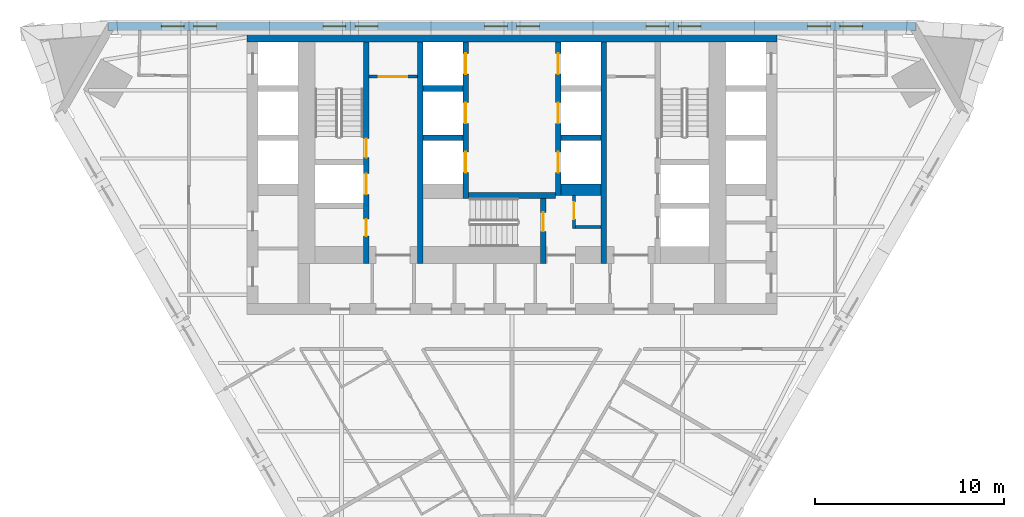
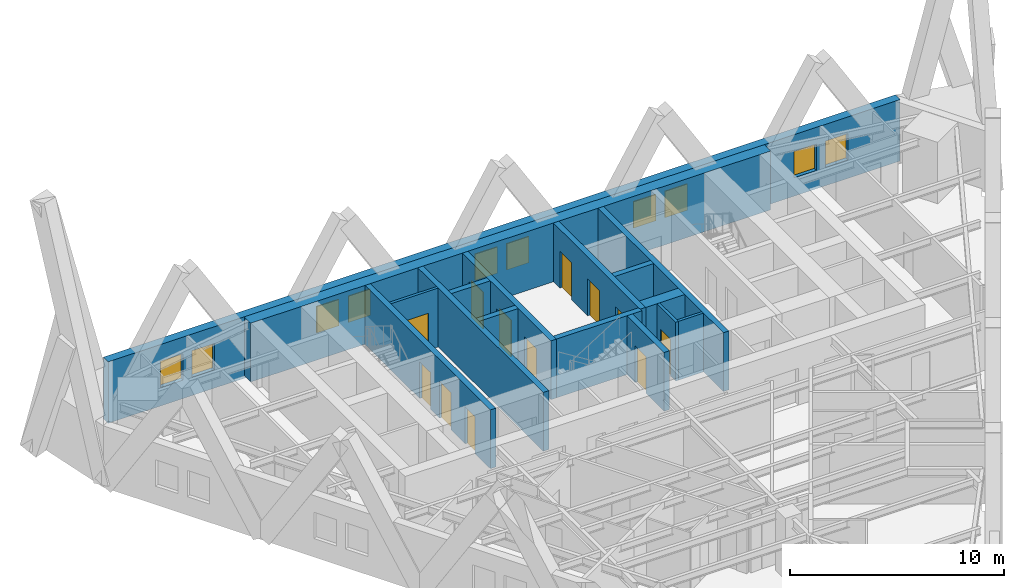
# One storey, part 6 of 9: 16 walls, 12 doors, 10 windows, 22 openings.
"""IFC4 building model written with IfcOpenShell, lengths in metres."""

import ifcopenshell
import ifcopenshell.guid

model = None  # the IFC model being written
_history = None  # IfcOwnerHistory: only IFC2X3 demands one
_inside = {}  # id of a spatial element -> (the spatial element, [elements in it])
_under = {}  # id of a project, library or spatial element -> (it, [spatial elements below it])
_declared = {}  # id of a project -> (the project, [libraries it declares])
_typed = {}  # id of a type object -> (the type object, [elements of that type])
_made_of = {}  # id of a material, layer set ... -> (it, [elements and type objects made of it])


def new_model(schema):
    """Start an empty IFC model of exactly this schema.

    Asked for "IFC4X3", IfcOpenShell would pick the latest addendum, in which some entities
    have other attributes; the version numbers below select the first issue.
    IFC2X3 requires an IfcOwnerHistory on every rooted entity: one is made here for all.
    """
    global model, _history
    if schema == "IFC4X3":
        model = ifcopenshell.file(schema_version=(4, 3, 0, 0))
    else:
        model = ifcopenshell.file(schema=schema)
    _inside.clear()
    _under.clear()
    _declared.clear()
    _typed.clear()
    _made_of.clear()
    _history = None
    if model.schema == "IFC2X3":
        org = make("IfcOrganization", Name="unknown")
        user = make(
            "IfcPersonAndOrganization",
            ThePerson=make("IfcPerson", FamilyName="unknown"),
            TheOrganization=org,
        )
        app = make(
            "IfcApplication",
            ApplicationDeveloper=org,
            Version="unknown",
            ApplicationFullName="unknown",
            ApplicationIdentifier="unknown",
        )
        _history = make(
            "IfcOwnerHistory",
            OwningUser=user,
            OwningApplication=app,
            ChangeAction="ADDED",
            CreationDate=0,
        )
    return model


def make(cls, **values):
    """One entity of the class cls with the attributes given. An attribute that is None is left unset."""
    return model.create_entity(
        cls, **{name: value for name, value in values.items() if value is not None}
    )


def rooted(cls, **values):
    """An entity with a GlobalId (a new one), such as an element, a storey or a relation."""
    return make(cls, GlobalId=ifcopenshell.guid.new(), OwnerHistory=_history, **values)


def si_unit(unit_type, name, prefix=None):
    """IfcSIUnit, for example si_unit("LENGTHUNIT", "METRE", prefix="MILLI")."""
    return make("IfcSIUnit", UnitType=unit_type, Prefix=prefix, Name=name)


def assignment(units):
    """IfcUnitAssignment: the units of a project."""
    return None if units is None else make("IfcUnitAssignment", Units=units)


def point(xyz):
    """IfcCartesianPoint."""
    return None if xyz is None else make("IfcCartesianPoint", Coordinates=xyz)


def direction(xyz):
    """IfcDirection."""
    return None if xyz is None else make("IfcDirection", DirectionRatios=xyz)


def frame(location, z_axis=None, x_axis=None):
    """IfcAxis2Placement3D, a coordinate frame: its origin and axes. An axis left out is left unset."""
    return make(
        "IfcAxis2Placement3D",
        Location=point(location),
        Axis=direction(z_axis),
        RefDirection=direction(x_axis),
    )


def frame_2d(location, x_axis=None):
    """IfcAxis2Placement2D, a coordinate frame in the plane: its origin and x axis."""
    return make(
        "IfcAxis2Placement2D", Location=point(location), RefDirection=direction(x_axis)
    )


def origin():
    """The frame at (0, 0, 0) with its axes left unset."""
    return frame((0.0, 0.0, 0.0))


def place(relative_to, where):
    """IfcLocalPlacement: puts the frame where relative to a parent placement (None: the world)."""
    return make(
        "IfcLocalPlacement", PlacementRelTo=relative_to, RelativePlacement=where
    )


def context(
    kind, dimensions, precision=None, world=None, true_north=None, identifier=None
):
    """IfcGeometricRepresentationContext, for example the 3D "Model" context."""
    return make(
        "IfcGeometricRepresentationContext",
        ContextIdentifier=identifier,
        ContextType=kind,
        CoordinateSpaceDimension=dimensions,
        Precision=precision,
        WorldCoordinateSystem=world,
        TrueNorth=true_north,
    )


def subcontext(parent, identifier, kind, view, scale=None):
    """IfcGeometricRepresentationSubContext, for example "Body" below "Model"."""
    return make(
        "IfcGeometricRepresentationSubContext",
        ContextIdentifier=identifier,
        ContextType=kind,
        ParentContext=parent,
        TargetScale=scale,
        TargetView=view,
    )


def project(units=None, contexts=None):
    """IfcProject with its units and contexts."""
    return rooted(
        "IfcProject",
        Name="project",
        RepresentationContexts=contexts,
        UnitsInContext=assignment(units),
    )


def spatial(cls, under=None, at=None, **own):
    """A site, building, storey or space (cls), placed at a placement, below another one or the project."""
    s = rooted(cls, ObjectPlacement=at, **own)
    if under is not None:
        _under.setdefault(under.id(), (under, []))[1].append(s)
    return s


def polyline(points):
    """IfcPolyline through the points."""
    return make("IfcPolyline", Points=[point(p) for p in points])


def profile(cls, at=None, kind="AREA", **sizes):
    """A parametric profile (cls). Its sizes go by their IFC names, for example OverallWidth=200.0."""
    return make(cls, ProfileType=kind, Position=at, **sizes)


def rectangle(**sizes):
    """IfcRectangleProfileDef."""
    return profile("IfcRectangleProfileDef", **sizes)


def outline(outer, holes=None, kind="AREA"):
    """IfcArbitraryClosedProfileDef: a profile drawn as a closed curve; with holes, ...WithVoids."""
    if holes is None:
        return make("IfcArbitraryClosedProfileDef", ProfileType=kind, OuterCurve=outer)
    return make(
        "IfcArbitraryProfileDefWithVoids",
        ProfileType=kind,
        OuterCurve=outer,
        InnerCurves=holes,
    )


def extrude(swept, where, along, depth):
    """IfcExtrudedAreaSolid: the profile swept, set in the frame where, extruded along a direction by depth."""
    return make(
        "IfcExtrudedAreaSolid",
        SweptArea=swept,
        Position=where,
        ExtrudedDirection=direction(along),
        Depth=depth,
    )


def shape(context_of_items, identifier, shape_type, items):
    """IfcShapeRepresentation: the items that make up one representation, for example the "Body"."""
    return make(
        "IfcShapeRepresentation",
        ContextOfItems=context_of_items,
        RepresentationIdentifier=identifier,
        RepresentationType=shape_type,
        Items=items,
    )


def material(Name=None, Category=None):
    """IfcMaterial."""
    return make("IfcMaterial", Name=Name, Category=Category)


def layer(
    of_material, thickness, ventilated=None, Name=None, Category=None, Priority=None
):
    """IfcMaterialLayer: one layer of a wall or slab, of a material (None: an air gap)."""
    return make(
        "IfcMaterialLayer",
        Material=of_material,
        LayerThickness=thickness,
        IsVentilated=ventilated,
        Name=Name,
        Category=Category,
        Priority=Priority,
    )


def layer_set(layers, Name=None):
    """IfcMaterialLayerSet."""
    return make("IfcMaterialLayerSet", MaterialLayers=layers, LayerSetName=Name)


def made_of(thing, what):
    """Note that an element or type object is made of a material, layer set ...; save() writes the relation."""
    if what is not None:
        _made_of.setdefault(what.id(), (what, []))[1].append(thing)
    return thing


def type_object(cls, material=None, **own):
    """A type object (cls), such as IfcWallType, which elements share."""
    return made_of(rooted(cls, **own), material)


def element(
    cls,
    number,
    at=None,
    inside=None,
    cuts=None,
    type_object=None,
    material=None,
    context=None,
    identifier="Body",
    shape_type=None,
    held_by="IfcProductDefinitionShape",
    body=None,
    shapes=None,
    **own,
):
    """One element of the class cls, such as IfcWall. Its Tag is "e" and its number.

    at: its placement. inside: the storey or other place that contains it. cuts: it is an
    opening in that element (IfcRelVoidsElement). A single representation is given by context,
    identifier, shape_type and body (its items); several are given by shapes. held_by: the class
    of the entity that holds the representations. save() writes the other relations.
    """
    e = rooted(cls, Tag="e%d" % number, ObjectPlacement=at, **own)
    if body is not None:
        shapes = [shape(context, identifier, shape_type, body)]
    if shapes is not None:
        e.Representation = make(held_by, Representations=shapes)
    if inside is not None:
        _inside.setdefault(inside.id(), (inside, []))[1].append(e)
    if cuts is not None:
        rooted(
            "IfcRelVoidsElement", RelatingBuildingElement=cuts, RelatedOpeningElement=e
        )
    if type_object is not None:
        _typed.setdefault(type_object.id(), (type_object, []))[1].append(e)
    return made_of(e, material)


def fill(opening, filler):
    """IfcRelFillsElement: the door or window that sits in an opening."""
    return rooted(
        "IfcRelFillsElement",
        RelatingOpeningElement=opening,
        RelatedBuildingElement=filler,
    )


def aggregate(whole, parts):
    """IfcRelAggregates: a whole, such as a stair, and the parts it consists of."""
    return rooted("IfcRelAggregates", RelatingObject=whole, RelatedObjects=parts)


def save(model, path):
    """Write the relations noted so far, then the file.

    IfcRelAggregates (storeys below a building ...), IfcRelContainedInSpatialStructure (elements
    in a storey), IfcRelDefinesByType, IfcRelAssociatesMaterial and IfcRelDeclares: one each for
    every whole, place, type object, material and project.
    """
    for whole, parts in _under.values():
        aggregate(whole, parts)
    for where, things in _inside.values():
        rooted(
            "IfcRelContainedInSpatialStructure",
            RelatedElements=things,
            RelatingStructure=where,
        )
    for kind, things in _typed.values():
        rooted("IfcRelDefinesByType", RelatedObjects=things, RelatingType=kind)
    for what, things in _made_of.values():
        rooted("IfcRelAssociatesMaterial", RelatedObjects=things, RelatingMaterial=what)
    for by, libraries in _declared.values():
        rooted("IfcRelDeclares", RelatingContext=by, RelatedDefinitions=libraries)
    model.write(path)


model = new_model("IFC4")

# Units and contexts
model_context = context("Model", 3, precision=1e-05, world=origin(), true_north=direction((0.0, 1.0)))
body_context = subcontext(model_context, "Body", "Model", "MODEL_VIEW")
ifc_project = project(units=[si_unit("LENGTHUNIT", "METRE"), si_unit("AREAUNIT", "SQUARE_METRE"), si_unit("VOLUMEUNIT", "CUBIC_METRE"), si_unit("PLANEANGLEUNIT", "RADIAN"), si_unit("MASSUNIT", "GRAM", prefix="KILO")], contexts=[model_context])

# Site, building, storey
site_placement = place(None, origin())
site = spatial("IfcSite", under=ifc_project, at=site_placement, CompositionType="ELEMENT")
building_placement = place(site_placement, origin())
building = spatial("IfcBuilding", under=site, at=building_placement, Name="Aloe Facet Convention Tower", CompositionType="ELEMENT")
storey_placement = place(building_placement, frame((0.0, 0.0, 109.800048828125)))
storey = spatial("IfcBuildingStorey", under=building, at=storey_placement, Name="L27", CompositionType="ELEMENT", Elevation=109.800048828125)

# Wall, opening, door
ifc_material_1 = material(Name="Concrete blockwork partition", Category="masonry")
ifc_layer_1 = layer(ifc_material_1, 0.14990234375)
ifc_layer_set_1 = layer_set([ifc_layer_1], Name="CR-W-PART150")
wall_type_1 = type_object("IfcWallType", Name="CR-W-PART150", PredefinedType="PARTITIONING", material=ifc_layer_set_1)
wall_1_placement = place(storey_placement, frame((72.449951171875, 132.125, 0.0), z_axis=(0.0, 0.0, 1.0), x_axis=(1.0, 0.0, 0.0)))
wall_1 = element("IfcWall", 1, at=wall_1_placement, inside=storey, type_object=wall_type_1, Name="Core partition L27-014", PredefinedType="PARTITIONING", context=body_context, shape_type="SweptSolid", body=[
    extrude(rectangle(XDim=2.550048828125, YDim=0.14990234375, at=frame_2d((1.27490234375, 0.0))), origin(), (0.0, 0.0, 1.0), 3.349853515625),
])
opening_1_placement = place(wall_1_placement, frame((0.52490234375, 0.0, 0.0)))
opening_1 = element("IfcOpeningElement", 2, at=opening_1_placement, cuts=wall_1, Name="Opening L27-CD22", PredefinedType="OPENING", context=body_context, shape_type="SweptSolid", body=[
    extrude(rectangle(XDim=1.5, YDim=2.10009765625, at=frame_2d((0.75, 1.050048828125))), frame((0.0, 0.0849609375, 0.0), z_axis=(0.0, -1.0, 0.0), x_axis=(1.0, 0.0, 0.0)), (0.0, 0.0, 1.0), 0.169921875),
])
ifc_material_2 = material(Name="Steel fire-resisting door set FD60", Category="steel")
door_type_1 = type_object("IfcDoorType", Name="CR-D-REFUGE-1500-FD60-DD", OperationType="DOUBLE_DOOR_DOUBLE_SWING", PredefinedType="DOOR", material=ifc_material_2)
door_1_placement = place(opening_1_placement, origin())
door_1 = element("IfcDoor", 3, at=door_1_placement, inside=storey, type_object=door_type_1, Name="Core door L27-CD22", OperationType="DOUBLE_DOOR_DOUBLE_SWING", OverallHeight=2.10009765625, OverallWidth=1.5, PredefinedType="DOOR", context=body_context, shape_type="SweptSolid", body=[
    extrude(rectangle(XDim=1.5, YDim=2.10009765625, at=frame_2d((0.75, 1.050048828125))), frame((0.0, 0.02490234375, 0.0), z_axis=(0.0, -1.0, 0.0), x_axis=(1.0, 0.0, 0.0)), (0.0, 0.0, 1.0), 0.050048828125),
])
fill(opening_1, door_1)

wall_2_placement = place(storey_placement, frame((83.27490234375, 125.85009765625, 0.0), z_axis=(0.0, 0.0, 1.0), x_axis=(0.0, -1.0, 0.0)))
wall_2 = element("IfcWall", 4, at=wall_2_placement, inside=storey, type_object=wall_type_1, Name="Core partition L27-035", PredefinedType="PARTITIONING", context=body_context, shape_type="SweptSolid", body=[
    extrude(rectangle(XDim=1.75, YDim=0.14990234375, at=frame_2d((0.875, 0.0))), origin(), (0.0, 0.0, 1.0), 3.349853515625),
])
opening_2_placement = place(wall_2_placement, frame((0.35009765625, 0.0, 0.0)))
opening_2 = element("IfcOpeningElement", 5, at=opening_2_placement, cuts=wall_2, Name="Opening L27-CD20", PredefinedType="OPENING", context=body_context, shape_type="SweptSolid", body=[
    extrude(rectangle(XDim=0.89990234375, YDim=2.10009765625, at=frame_2d((0.449951171875, 1.050048828125))), frame((0.0, 0.0849609375, 0.0), z_axis=(0.0, -1.0, 0.0), x_axis=(1.0, 0.0, 0.0)), (0.0, 0.0, 1.0), 0.169921875),
])
ifc_material_3 = material(Name="Steel fire-resisting door set FD60", Category="steel")
door_type_2 = type_object("IfcDoorType", Name="CR-D-REFUGE-900-FD60-SRIGHT", OperationType="SINGLE_SWING_RIGHT", PredefinedType="DOOR", material=ifc_material_3)
door_2_placement = place(opening_2_placement, origin())
door_2 = element("IfcDoor", 6, at=door_2_placement, inside=storey, type_object=door_type_2, Name="Core door L27-CD20", OperationType="SINGLE_SWING_RIGHT", OverallHeight=2.10009765625, OverallWidth=0.89990234375, PredefinedType="DOOR", context=body_context, shape_type="SweptSolid", body=[
    extrude(rectangle(XDim=0.89990234375, YDim=2.10009765625, at=frame_2d((0.449951171875, 1.050048828125))), frame((0.0, 0.02490234375, 0.0), z_axis=(0.0, -1.0, 0.0), x_axis=(1.0, 0.0, 0.0)), (0.0, 0.0, 1.0), 0.050048828125),
])
fill(opening_2, door_2)

# Wall
wall_3_placement = place(storey_placement, frame((83.35009765625, 124.175048828125, 0.0), z_axis=(0.0, 0.0, 1.0), x_axis=(1.0, 0.0, 0.0)))
element("IfcWall", 7, at=wall_3_placement, inside=storey, type_object=wall_type_1, Name="Core partition L27-036", PredefinedType="PARTITIONING", context=body_context, shape_type="SweptSolid", body=[
    extrude(rectangle(XDim=1.349853515625, YDim=0.14990234375, at=frame_2d((0.6748046875, 0.0))), origin(), (0.0, 0.0, 1.0), 3.349853515625),
])

# Wall, openings, doors
ifc_material_4 = material(Name="Concrete C70/85", Category="concrete")
ifc_layer_2 = layer(ifc_material_4, 0.300048828125)
ifc_layer_set_2 = layer_set([ifc_layer_2], Name="CR-W-RC300-C7085")
wall_type_2 = type_object("IfcWallType", Name="CR-W-RC300-C7085", PredefinedType="SOLIDWALL", material=ifc_layer_set_2)
wall_4_placement = place(storey_placement, frame((72.300048828125, 133.949951171875, 0.0), z_axis=(0.0, 0.0, 1.0), x_axis=(0.0, -1.0, 0.0)))
wall_4 = element("IfcWall", 8, at=wall_4_placement, inside=storey, type_object=wall_type_2, Name="Core wall L27-013", PredefinedType="SOLIDWALL", context=body_context, shape_type="SweptSolid", body=[
    extrude(rectangle(XDim=11.699951171875, YDim=0.300048828125, at=frame_2d((5.85009765625, 0.0))), origin(), (0.0, 0.0, 1.0), 3.349853515625),
])
opening_3_placement = place(wall_4_placement, frame((6.949951171875, 0.0, 0.0)))
opening_3 = element("IfcOpeningElement", 9, at=opening_3_placement, cuts=wall_4, Name="Opening LD-FF1-L27", PredefinedType="OPENING", context=body_context, shape_type="SweptSolid", body=[
    extrude(rectangle(XDim=1.10009765625, YDim=2.10009765625, at=frame_2d((0.550048828125, 1.050048828125))), frame((0.0, 0.16015625, 0.0), z_axis=(0.0, -1.0, 0.0), x_axis=(1.0, 0.0, 0.0)), (0.0, 0.0, 1.0), 0.320068359375),
])
opening_4_placement = place(wall_4_placement, frame((9.35009765625, 0.0, 0.0)))
opening_4 = element("IfcOpeningElement", 10, at=opening_4_placement, cuts=wall_4, Name="Opening L27-CD23", PredefinedType="OPENING", context=body_context, shape_type="SweptSolid", body=[
    extrude(rectangle(XDim=0.89990234375, YDim=2.10009765625, at=frame_2d((0.449951171875, 1.050048828125))), frame((0.0, 0.16015625, 0.0), z_axis=(0.0, -1.0, 0.0), x_axis=(1.0, 0.0, 0.0)), (0.0, 0.0, 1.0), 0.320068359375),
])
opening_5_placement = place(wall_4_placement, frame((5.10009765625, 0.0, 0.0)))
opening_5 = element("IfcOpeningElement", 11, at=opening_5_placement, cuts=wall_4, Name="Opening L27-CD30", PredefinedType="OPENING", context=body_context, shape_type="SweptSolid", body=[
    extrude(rectangle(XDim=1.0, YDim=2.10009765625, at=frame_2d((0.5, 1.050048828125))), frame((0.0, 0.16015625, 0.0), z_axis=(0.0, -1.0, 0.0), x_axis=(1.0, 0.0, 0.0)), (0.0, 0.0, 1.0), 0.320068359375),
])
ifc_material_5 = material(Name="Steel fire-resisting door set FD60", Category="steel")
door_type_3 = type_object("IfcDoorType", Name="CR-D-ROOM-900-FD60-SLEFT", OperationType="SINGLE_SWING_LEFT", PredefinedType="DOOR", material=ifc_material_5)
door_3_placement = place(opening_4_placement, origin())
door_3 = element("IfcDoor", 12, at=door_3_placement, inside=storey, type_object=door_type_3, Name="Core door L27-CD23", OperationType="SINGLE_SWING_LEFT", OverallHeight=2.10009765625, OverallWidth=0.89990234375, PredefinedType="DOOR", context=body_context, shape_type="SweptSolid", body=[
    extrude(rectangle(XDim=0.89990234375, YDim=2.10009765625, at=frame_2d((0.449951171875, 1.050048828125))), frame((0.0, 0.02490234375, 0.0), z_axis=(0.0, -1.0, 0.0), x_axis=(1.0, 0.0, 0.0)), (0.0, 0.0, 1.0), 0.050048828125),
])
fill(opening_4, door_3)
ifc_material_6 = material(Name="Steel fire-resisting door set FD120", Category="steel")
door_type_4 = type_object("IfcDoorType", Name="CR-D-STAIR-1000-FD120-SRIGHT", OperationType="SINGLE_SWING_RIGHT", PredefinedType="DOOR", material=ifc_material_6)
door_4_placement = place(opening_5_placement, origin())
door_4 = element("IfcDoor", 13, at=door_4_placement, inside=storey, type_object=door_type_4, Name="Core door L27-CD30", OperationType="SINGLE_SWING_RIGHT", OverallHeight=2.10009765625, OverallWidth=1.0, PredefinedType="DOOR", context=body_context, shape_type="SweptSolid", body=[
    extrude(rectangle(XDim=1.0, YDim=2.10009765625, at=frame_2d((0.5, 1.050048828125))), frame((0.0, 0.02490234375, 0.0), z_axis=(0.0, -1.0, 0.0), x_axis=(1.0, 0.0, 0.0)), (0.0, 0.0, 1.0), 0.050048828125),
])
fill(opening_5, door_4)
ifc_material_7 = material(Name="Stainless steel sliding landing door", Category="steel")
door_type_5 = type_object("IfcDoorType", Name="CR-LD-1100-FD120-_LEFT", OperationType="SLIDING_TO_LEFT", PredefinedType="DOOR", material=ifc_material_7)
door_5_placement = place(opening_3_placement, origin())
door_5 = element("IfcDoor", 14, at=door_5_placement, inside=storey, type_object=door_type_5, Name="Landing door FF1 L27", OperationType="SLIDING_TO_LEFT", OverallHeight=2.10009765625, OverallWidth=1.10009765625, PredefinedType="DOOR", context=body_context, shape_type="SweptSolid", body=[
    extrude(rectangle(XDim=1.10009765625, YDim=2.10009765625, at=frame_2d((0.550048828125, 1.050048828125))), frame((0.0, 0.02490234375, 0.0), z_axis=(0.0, -1.0, 0.0), x_axis=(1.0, 0.0, 0.0)), (0.0, 0.0, 1.0), 0.050048828125),
])
fill(opening_3, door_5)

# Walls
wall_5_placement = place(storey_placement, frame((75.14990234375, 133.949951171875, 0.0), z_axis=(0.0, 0.0, 1.0), x_axis=(0.0, -1.0, 0.0)))
element("IfcWall", 15, at=wall_5_placement, inside=storey, type_object=wall_type_2, Name="Core wall L27-018", PredefinedType="SOLIDWALL", context=body_context, shape_type="SweptSolid", body=[
    extrude(rectangle(XDim=11.699951171875, YDim=0.300048828125, at=frame_2d((5.85009765625, 0.0))), origin(), (0.0, 0.0, 1.0), 3.349853515625),
])
for number, where, z_axis, x_axis, name in (
    (16, (75.300048828125, 131.5, 0.0), (0.0, 0.0, 1.0), (1.0, 0.0, 0.0), "Core wall L27-019"),
    (17, (75.300048828125, 128.89990234375, 0.0), (0.0, 0.0, 1.0), (1.0, 0.0, 0.0), "Core wall L27-020"),
):
    element("IfcWall", number, at=place(storey_placement, frame(where, z_axis=z_axis, x_axis=x_axis)), inside=storey, type_object=wall_type_2, Name=name, PredefinedType="SOLIDWALL", context=body_context, shape_type="SweptSolid", body=[
        extrude(rectangle(XDim=2.099853515625, YDim=0.300048828125, at=frame_2d((1.0498046875, 0.0))), origin(), (0.0, 0.0, 1.0), 3.349853515625),
    ])

# Wall, openings, doors
wall_6_placement = place(storey_placement, frame((77.550048828125, 133.949951171875, 0.0), z_axis=(0.0, 0.0, 1.0), x_axis=(0.0, -1.0, 0.0)))
wall_6 = element("IfcWall", 18, at=wall_6_placement, inside=storey, type_object=wall_type_2, Name="Core wall L27-024", PredefinedType="SOLIDWALL", context=body_context, shape_type="SweptSolid", body=[
    extrude(rectangle(XDim=8.25, YDim=0.300048828125, at=frame_2d((4.125, 0.0))), origin(), (0.0, 0.0, 1.0), 3.349853515625),
])
opening_6_placement = place(wall_6_placement, frame((0.60009765625, 0.0, 0.0)))
opening_6 = element("IfcOpeningElement", 19, at=opening_6_placement, cuts=wall_6, Name="Opening LD-A1-L27", PredefinedType="OPENING", context=body_context, shape_type="SweptSolid", body=[
    extrude(rectangle(XDim=1.10009765625, YDim=2.10009765625, at=frame_2d((0.550048828125, 1.050048828125))), frame((0.0, 0.16015625, 0.0), z_axis=(0.0, -1.0, 0.0), x_axis=(1.0, 0.0, 0.0)), (0.0, 0.0, 1.0), 0.320068359375),
])
opening_7_placement = place(wall_6_placement, frame((3.199951171875, 0.0, 0.0)))
opening_7 = element("IfcOpeningElement", 20, at=opening_7_placement, cuts=wall_6, Name="Opening LD-A2-L27", PredefinedType="OPENING", context=body_context, shape_type="SweptSolid", body=[
    extrude(rectangle(XDim=1.10009765625, YDim=2.10009765625, at=frame_2d((0.550048828125, 1.050048828125))), frame((0.0, 0.16015625, 0.0), z_axis=(0.0, -1.0, 0.0), x_axis=(1.0, 0.0, 0.0)), (0.0, 0.0, 1.0), 0.320068359375),
])
opening_8_placement = place(wall_6_placement, frame((5.800048828125, 0.0, 0.0)))
opening_8 = element("IfcOpeningElement", 21, at=opening_8_placement, cuts=wall_6, Name="Opening LD-A3-L27", PredefinedType="OPENING", context=body_context, shape_type="SweptSolid", body=[
    extrude(rectangle(XDim=1.10009765625, YDim=2.10009765625, at=frame_2d((0.550048828125, 1.050048828125))), frame((0.0, 0.16015625, 0.0), z_axis=(0.0, -1.0, 0.0), x_axis=(1.0, 0.0, 0.0)), (0.0, 0.0, 1.0), 0.320068359375),
])
ifc_material_8 = material(Name="Stainless steel sliding landing door", Category="steel")
door_type_6 = type_object("IfcDoorType", Name="CR-LD-1100-FD60-RIGHT", OperationType="SLIDING_TO_RIGHT", PredefinedType="DOOR", material=ifc_material_8)
door_6_placement = place(opening_6_placement, origin())
door_6 = element("IfcDoor", 22, at=door_6_placement, inside=storey, type_object=door_type_6, Name="Landing door A1 L27", OperationType="SLIDING_TO_RIGHT", OverallHeight=2.10009765625, OverallWidth=1.10009765625, PredefinedType="DOOR", context=body_context, shape_type="SweptSolid", body=[
    extrude(rectangle(XDim=1.10009765625, YDim=2.10009765625, at=frame_2d((0.550048828125, 1.050048828125))), frame((0.0, 0.02490234375, 0.0), z_axis=(0.0, -1.0, 0.0), x_axis=(1.0, 0.0, 0.0)), (0.0, 0.0, 1.0), 0.050048828125),
])
fill(opening_6, door_6)
door_7_placement = place(opening_7_placement, origin())
door_7 = element("IfcDoor", 23, at=door_7_placement, inside=storey, type_object=door_type_6, Name="Landing door A2 L27", OperationType="SLIDING_TO_RIGHT", OverallHeight=2.10009765625, OverallWidth=1.10009765625, PredefinedType="DOOR", context=body_context, shape_type="SweptSolid", body=[
    extrude(rectangle(XDim=1.10009765625, YDim=2.10009765625, at=frame_2d((0.550048828125, 1.050048828125))), frame((0.0, 0.02490234375, 0.0), z_axis=(0.0, -1.0, 0.0), x_axis=(1.0, 0.0, 0.0)), (0.0, 0.0, 1.0), 0.050048828125),
])
fill(opening_7, door_7)
door_8_placement = place(opening_8_placement, origin())
door_8 = element("IfcDoor", 24, at=door_8_placement, inside=storey, type_object=door_type_6, Name="Landing door A3 L27", OperationType="SLIDING_TO_RIGHT", OverallHeight=2.10009765625, OverallWidth=1.10009765625, PredefinedType="DOOR", context=body_context, shape_type="SweptSolid", body=[
    extrude(rectangle(XDim=1.10009765625, YDim=2.10009765625, at=frame_2d((0.550048828125, 1.050048828125))), frame((0.0, 0.02490234375, 0.0), z_axis=(0.0, -1.0, 0.0), x_axis=(1.0, 0.0, 0.0)), (0.0, 0.0, 1.0), 0.050048828125),
])
fill(opening_8, door_8)

# Wall
wall_7_placement = place(storey_placement, frame((77.699951171875, 125.85009765625, 0.0), z_axis=(0.0, 0.0, 1.0), x_axis=(1.0, 0.0, 0.0)))
element("IfcWall", 25, at=wall_7_placement, inside=storey, type_object=wall_type_2, Name="Core wall L27-025", PredefinedType="SOLIDWALL", context=body_context, shape_type="SweptSolid", body=[
    extrude(rectangle(XDim=4.60009765625, YDim=0.300048828125, at=frame_2d((2.300048828125, 0.0))), origin(), (0.0, 0.0, 1.0), 3.349853515625),
])

# Wall, opening, door
wall_8_placement = place(storey_placement, frame((81.64990234375, 125.699951171875, 0.0), z_axis=(0.0, 0.0, 1.0), x_axis=(0.0, -1.0, 0.0)))
wall_8 = element("IfcWall", 26, at=wall_8_placement, inside=storey, type_object=wall_type_2, Name="Core wall L27-028", PredefinedType="SOLIDWALL", context=body_context, shape_type="SweptSolid", body=[
    extrude(rectangle(XDim=3.449951171875, YDim=0.300048828125, at=frame_2d((1.72509765625, 0.0))), origin(), (0.0, 0.0, 1.0), 3.349853515625),
])
opening_9_placement = place(wall_8_placement, frame((0.75, 0.0, 0.0)))
opening_9 = element("IfcOpeningElement", 27, at=opening_9_placement, cuts=wall_8, Name="Opening L27-CD32", PredefinedType="OPENING", context=body_context, shape_type="SweptSolid", body=[
    extrude(rectangle(XDim=1.0, YDim=2.10009765625, at=frame_2d((0.5, 1.050048828125))), frame((0.0, 0.16015625, 0.0), z_axis=(0.0, -1.0, 0.0), x_axis=(1.0, 0.0, 0.0)), (0.0, 0.0, 1.0), 0.320068359375),
])
ifc_material_9 = material(Name="Steel fire-resisting door set FD120", Category="steel")
door_type_7 = type_object("IfcDoorType", Name="CR-D-STAIR-1000-FD120-SLEFT", OperationType="SINGLE_SWING_LEFT", PredefinedType="DOOR", material=ifc_material_9)
door_9_placement = place(opening_9_placement, origin())
door_9 = element("IfcDoor", 28, at=door_9_placement, inside=storey, type_object=door_type_7, Name="Core door L27-CD32", OperationType="SINGLE_SWING_LEFT", OverallHeight=2.10009765625, OverallWidth=1.0, PredefinedType="DOOR", context=body_context, shape_type="SweptSolid", body=[
    extrude(rectangle(XDim=1.0, YDim=2.10009765625, at=frame_2d((0.5, 1.050048828125))), frame((0.0, 0.02490234375, 0.0), z_axis=(0.0, -1.0, 0.0), x_axis=(1.0, 0.0, 0.0)), (0.0, 0.0, 1.0), 0.050048828125),
])
fill(opening_9, door_9)

# Wall, openings, doors
wall_9_placement = place(storey_placement, frame((82.449951171875, 133.949951171875, 0.0), z_axis=(0.0, 0.0, 1.0), x_axis=(0.0, -1.0, 0.0)))
wall_9 = element("IfcWall", 29, at=wall_9_placement, inside=storey, type_object=wall_type_2, Name="Core wall L27-030", PredefinedType="SOLIDWALL", context=body_context, shape_type="SweptSolid", body=[
    extrude(rectangle(XDim=8.099853515625, YDim=0.300048828125, at=frame_2d((4.0498046875, 0.0))), origin(), (0.0, 0.0, 1.0), 3.349853515625),
])
opening_10_placement = place(wall_9_placement, frame((0.60009765625, 0.0, 0.0)))
opening_10 = element("IfcOpeningElement", 30, at=opening_10_placement, cuts=wall_9, Name="Opening LD-A4-L27", PredefinedType="OPENING", context=body_context, shape_type="SweptSolid", body=[
    extrude(rectangle(XDim=1.10009765625, YDim=2.10009765625, at=frame_2d((0.550048828125, 1.050048828125))), frame((0.0, 0.16015625, 0.0), z_axis=(0.0, -1.0, 0.0), x_axis=(1.0, 0.0, 0.0)), (0.0, 0.0, 1.0), 0.320068359375),
])
opening_11_placement = place(wall_9_placement, frame((3.199951171875, 0.0, 0.0)))
opening_11 = element("IfcOpeningElement", 31, at=opening_11_placement, cuts=wall_9, Name="Opening LD-A5-L27", PredefinedType="OPENING", context=body_context, shape_type="SweptSolid", body=[
    extrude(rectangle(XDim=1.10009765625, YDim=2.10009765625, at=frame_2d((0.550048828125, 1.050048828125))), frame((0.0, 0.16015625, 0.0), z_axis=(0.0, -1.0, 0.0), x_axis=(1.0, 0.0, 0.0)), (0.0, 0.0, 1.0), 0.320068359375),
])
opening_12_placement = place(wall_9_placement, frame((5.800048828125, 0.0, 0.0)))
opening_12 = element("IfcOpeningElement", 32, at=opening_12_placement, cuts=wall_9, Name="Opening LD-A6-L27", PredefinedType="OPENING", context=body_context, shape_type="SweptSolid", body=[
    extrude(rectangle(XDim=1.10009765625, YDim=2.10009765625, at=frame_2d((0.550048828125, 1.050048828125))), frame((0.0, 0.16015625, 0.0), z_axis=(0.0, -1.0, 0.0), x_axis=(1.0, 0.0, 0.0)), (0.0, 0.0, 1.0), 0.320068359375),
])
ifc_material_10 = material(Name="Stainless steel sliding landing door", Category="steel")
door_type_8 = type_object("IfcDoorType", Name="CR-LD-1100-FD60-_LEFT", OperationType="SLIDING_TO_LEFT", PredefinedType="DOOR", material=ifc_material_10)
door_10_placement = place(opening_10_placement, origin())
door_10 = element("IfcDoor", 33, at=door_10_placement, inside=storey, type_object=door_type_8, Name="Landing door A4 L27", OperationType="SLIDING_TO_LEFT", OverallHeight=2.10009765625, OverallWidth=1.10009765625, PredefinedType="DOOR", context=body_context, shape_type="SweptSolid", body=[
    extrude(rectangle(XDim=1.10009765625, YDim=2.10009765625, at=frame_2d((0.550048828125, 1.050048828125))), frame((0.0, 0.02490234375, 0.0), z_axis=(0.0, -1.0, 0.0), x_axis=(1.0, 0.0, 0.0)), (0.0, 0.0, 1.0), 0.050048828125),
])
fill(opening_10, door_10)
door_11_placement = place(opening_11_placement, origin())
door_11 = element("IfcDoor", 34, at=door_11_placement, inside=storey, type_object=door_type_8, Name="Landing door A5 L27", OperationType="SLIDING_TO_LEFT", OverallHeight=2.10009765625, OverallWidth=1.10009765625, PredefinedType="DOOR", context=body_context, shape_type="SweptSolid", body=[
    extrude(rectangle(XDim=1.10009765625, YDim=2.10009765625, at=frame_2d((0.550048828125, 1.050048828125))), frame((0.0, 0.02490234375, 0.0), z_axis=(0.0, -1.0, 0.0), x_axis=(1.0, 0.0, 0.0)), (0.0, 0.0, 1.0), 0.050048828125),
])
fill(opening_11, door_11)
door_12_placement = place(opening_12_placement, origin())
door_12 = element("IfcDoor", 35, at=door_12_placement, inside=storey, type_object=door_type_8, Name="Landing door A6 L27", OperationType="SLIDING_TO_LEFT", OverallHeight=2.10009765625, OverallWidth=1.10009765625, PredefinedType="DOOR", context=body_context, shape_type="SweptSolid", body=[
    extrude(rectangle(XDim=1.10009765625, YDim=2.10009765625, at=frame_2d((0.550048828125, 1.050048828125))), frame((0.0, 0.02490234375, 0.0), z_axis=(0.0, -1.0, 0.0), x_axis=(1.0, 0.0, 0.0)), (0.0, 0.0, 1.0), 0.050048828125),
])
fill(opening_12, door_12)

# Walls
wall_10_placement = place(storey_placement, frame((82.60009765625, 128.89990234375, 0.0), z_axis=(0.0, 0.0, 1.0), x_axis=(1.0, 0.0, 0.0)))
element("IfcWall", 36, at=wall_10_placement, inside=storey, type_object=wall_type_2, Name="Core wall L27-032", PredefinedType="SOLIDWALL", context=body_context, shape_type="SweptSolid", body=[
    extrude(rectangle(XDim=2.099853515625, YDim=0.300048828125, at=frame_2d((1.0498046875, 0.0))), origin(), (0.0, 0.0, 1.0), 3.349853515625),
])
wall_11_placement = place(storey_placement, frame((84.85009765625, 133.949951171875, 0.0), z_axis=(0.0, 0.0, 1.0), x_axis=(0.0, -1.0, 0.0)))
element("IfcWall", 37, at=wall_11_placement, inside=storey, type_object=wall_type_2, Name="Core wall L27-037", PredefinedType="SOLIDWALL", context=body_context, shape_type="SweptSolid", body=[
    extrude(rectangle(XDim=11.699951171875, YDim=0.300048828125, at=frame_2d((5.85009765625, 0.0))), origin(), (0.0, 0.0, 1.0), 3.349853515625),
])
ifc_material_11 = material(Name="Concrete C70/85", Category="concrete")
ifc_layer_3 = layer(ifc_material_11, 0.60009765625)
ifc_layer_set_3 = layer_set([ifc_layer_3], Name="CR-W-RC600-C7085")
wall_type_3 = type_object("IfcWallType", Name="CR-W-RC600-C7085", PredefinedType="SOLIDWALL", material=ifc_layer_set_3)
wall_12_placement = place(storey_placement, frame((66.0, 134.25, 0.0), z_axis=(0.0, 0.0, 1.0), x_axis=(1.0, 0.0, 0.0)))
element("IfcWall", 38, at=wall_12_placement, inside=storey, type_object=wall_type_3, Name="Core wall L27-001", PredefinedType="SOLIDWALL", context=body_context, shape_type="SweptSolid", body=[
    extrude(rectangle(XDim=28.0, YDim=0.60009765625, at=frame_2d((14.0, 0.0))), origin(), (0.0, 0.0, 1.0), 3.349853515625),
])
wall_13_placement = place(storey_placement, frame((82.60009765625, 126.14990234375, 0.0), z_axis=(0.0, 0.0, 1.0), x_axis=(1.0, 0.0, 0.0)))
element("IfcWall", 39, at=wall_13_placement, inside=storey, type_object=wall_type_3, Name="Core wall L27-033", PredefinedType="SOLIDWALL", context=body_context, shape_type="SweptSolid", body=[
    extrude(rectangle(XDim=2.099853515625, YDim=0.60009765625, at=frame_2d((1.0498046875, 0.0))), origin(), (0.0, 0.0, 1.0), 3.349853515625),
])

# Wall, openings, windows
ifc_material_12 = material(Name="Precast concrete C40/50", Category="concrete")
ifc_layer_4 = layer(ifc_material_12, 0.449951171875)
ifc_layer_set_4 = layer_set([ifc_layer_4], Name="EV-WALL-STONE")
wall_type_4 = type_object("IfcWallType", Name="EV-WALL-STONE", PredefinedType="SOLIDWALL", material=ifc_layer_set_4)
wall_14_placement = place(storey_placement, frame((101.321533203125, 134.77490234375, -0.150146484375), z_axis=(0.0, 0.0, 1.0), x_axis=(-1.0, 0.0, 0.0)))
wall_14 = element("IfcWall", 40, at=wall_14_placement, inside=storey, type_object=wall_type_4, Name="EW-L27-N01", PredefinedType="SOLIDWALL", context=body_context, shape_type="SweptSolid", body=[
    extrude(outline(polyline([(42.64306640625, 0.0), (42.64306640625, 3.5), (0.0, 3.5), (0.0, 0.0), (42.64306640625, 0.0)])), frame((0.0, 0.22509765625, 0.0), z_axis=(0.0, -1.0, 0.0), x_axis=(1.0, 0.0, 0.0)), (0.0, 0.0, 1.0), 0.449951171875),
])
opening_13_placement = place(wall_14_placement, frame((2.814208984375, 0.0, 1.050048828125)))
opening_13 = element("IfcOpeningElement", 41, at=opening_13_placement, cuts=wall_14, Name="Opening W-L27-N01", PredefinedType="OPENING", context=body_context, shape_type="SweptSolid", body=[
    extrude(rectangle(XDim=1.199951171875, YDim=1.5, at=frame_2d((0.60009765625, 0.75))), frame((0.0, 0.23486328125, 0.0), z_axis=(0.0, -1.0, 0.0), x_axis=(1.0, 0.0, 0.0)), (0.0, 0.0, 1.0), 0.469970703125),
])
opening_14_placement = place(wall_14_placement, frame((4.514404296875, 0.0, 1.050048828125)))
opening_14 = element("IfcOpeningElement", 42, at=opening_14_placement, cuts=wall_14, Name="Opening W-L27-N02", PredefinedType="OPENING", context=body_context, shape_type="SweptSolid", body=[
    extrude(rectangle(XDim=1.199951171875, YDim=1.5, at=frame_2d((0.60009765625, 0.75))), frame((0.0, 0.23486328125, 0.0), z_axis=(0.0, -1.0, 0.0), x_axis=(1.0, 0.0, 0.0)), (0.0, 0.0, 1.0), 0.469970703125),
])
opening_15_placement = place(wall_14_placement, frame((11.343017578125, 0.0, 1.050048828125)))
opening_15 = element("IfcOpeningElement", 43, at=opening_15_placement, cuts=wall_14, Name="Opening W-L27-N03", PredefinedType="OPENING", context=body_context, shape_type="SweptSolid", body=[
    extrude(rectangle(XDim=1.199951171875, YDim=1.5, at=frame_2d((0.60009765625, 0.75))), frame((0.0, 0.23486328125, 0.0), z_axis=(0.0, -1.0, 0.0), x_axis=(1.0, 0.0, 0.0)), (0.0, 0.0, 1.0), 0.469970703125),
])
opening_16_placement = place(wall_14_placement, frame((13.04296875, 0.0, 1.050048828125)))
opening_16 = element("IfcOpeningElement", 44, at=opening_16_placement, cuts=wall_14, Name="Opening W-L27-N04", PredefinedType="OPENING", context=body_context, shape_type="SweptSolid", body=[
    extrude(rectangle(XDim=1.199951171875, YDim=1.5, at=frame_2d((0.60009765625, 0.75))), frame((0.0, 0.23486328125, 0.0), z_axis=(0.0, -1.0, 0.0), x_axis=(1.0, 0.0, 0.0)), (0.0, 0.0, 1.0), 0.469970703125),
])
opening_17_placement = place(wall_14_placement, frame((19.87158203125, 0.0, 1.050048828125)))
opening_17 = element("IfcOpeningElement", 45, at=opening_17_placement, cuts=wall_14, Name="Opening W-L27-N05", PredefinedType="OPENING", context=body_context, shape_type="SweptSolid", body=[
    extrude(rectangle(XDim=1.199951171875, YDim=1.5, at=frame_2d((0.60009765625, 0.75))), frame((0.0, 0.23486328125, 0.0), z_axis=(0.0, -1.0, 0.0), x_axis=(1.0, 0.0, 0.0)), (0.0, 0.0, 1.0), 0.469970703125),
])
opening_18_placement = place(wall_14_placement, frame((21.571533203125, 0.0, 1.050048828125)))
opening_18 = element("IfcOpeningElement", 46, at=opening_18_placement, cuts=wall_14, Name="Opening W-L27-N06", PredefinedType="OPENING", context=body_context, shape_type="SweptSolid", body=[
    extrude(rectangle(XDim=1.199951171875, YDim=1.5, at=frame_2d((0.60009765625, 0.75))), frame((0.0, 0.23486328125, 0.0), z_axis=(0.0, -1.0, 0.0), x_axis=(1.0, 0.0, 0.0)), (0.0, 0.0, 1.0), 0.469970703125),
])
opening_19_placement = place(wall_14_placement, frame((28.400146484375, 0.0, 1.050048828125)))
opening_19 = element("IfcOpeningElement", 47, at=opening_19_placement, cuts=wall_14, Name="Opening W-L27-N07", PredefinedType="OPENING", context=body_context, shape_type="SweptSolid", body=[
    extrude(rectangle(XDim=1.199951171875, YDim=1.5, at=frame_2d((0.60009765625, 0.75))), frame((0.0, 0.23486328125, 0.0), z_axis=(0.0, -1.0, 0.0), x_axis=(1.0, 0.0, 0.0)), (0.0, 0.0, 1.0), 0.469970703125),
])
opening_20_placement = place(wall_14_placement, frame((30.10009765625, 0.0, 1.050048828125)))
opening_20 = element("IfcOpeningElement", 48, at=opening_20_placement, cuts=wall_14, Name="Opening W-L27-N08", PredefinedType="OPENING", context=body_context, shape_type="SweptSolid", body=[
    extrude(rectangle(XDim=1.199951171875, YDim=1.5, at=frame_2d((0.60009765625, 0.75))), frame((0.0, 0.23486328125, 0.0), z_axis=(0.0, -1.0, 0.0), x_axis=(1.0, 0.0, 0.0)), (0.0, 0.0, 1.0), 0.469970703125),
])
opening_21_placement = place(wall_14_placement, frame((36.9287109375, 0.0, 1.050048828125)))
opening_21 = element("IfcOpeningElement", 49, at=opening_21_placement, cuts=wall_14, Name="Opening W-L27-N09", PredefinedType="OPENING", context=body_context, shape_type="SweptSolid", body=[
    extrude(rectangle(XDim=1.199951171875, YDim=1.5, at=frame_2d((0.60009765625, 0.75))), frame((0.0, 0.23486328125, 0.0), z_axis=(0.0, -1.0, 0.0), x_axis=(1.0, 0.0, 0.0)), (0.0, 0.0, 1.0), 0.469970703125),
])
opening_22_placement = place(wall_14_placement, frame((38.628662109375, 0.0, 1.050048828125)))
opening_22 = element("IfcOpeningElement", 50, at=opening_22_placement, cuts=wall_14, Name="Opening W-L27-N10", PredefinedType="OPENING", context=body_context, shape_type="SweptSolid", body=[
    extrude(rectangle(XDim=1.199951171875, YDim=1.5, at=frame_2d((0.60009765625, 0.75))), frame((0.0, 0.23486328125, 0.0), z_axis=(0.0, -1.0, 0.0), x_axis=(1.0, 0.0, 0.0)), (0.0, 0.0, 1.0), 0.469970703125),
])
ifc_material_13 = material(Name="Aluminium frame, clear double glazing", Category="aluminium")
window_type = type_object("IfcWindowType", Name="EV-WIN-H12", PartitioningType="SINGLE_PANEL", PredefinedType="WINDOW", material=ifc_material_13)
window_1_placement = place(opening_13_placement, origin())
window_1 = element("IfcWindow", 51, at=window_1_placement, inside=storey, type_object=window_type, Name="W-L27-N01", OverallHeight=1.5, OverallWidth=1.199951171875, PartitioningType="SINGLE_PANEL", PredefinedType="WINDOW", context=body_context, shape_type="SweptSolid", body=[
    extrude(rectangle(XDim=1.199951171875, YDim=1.5, at=frame_2d((0.60009765625, 0.75))), frame((0.0, 0.030029296875, 0.0), z_axis=(0.0, -1.0, 0.0), x_axis=(1.0, 0.0, 0.0)), (0.0, 0.0, 1.0), 0.06005859375),
])
fill(opening_13, window_1)
window_2_placement = place(opening_14_placement, origin())
window_2 = element("IfcWindow", 52, at=window_2_placement, inside=storey, type_object=window_type, Name="W-L27-N02", OverallHeight=1.5, OverallWidth=1.199951171875, PartitioningType="SINGLE_PANEL", PredefinedType="WINDOW", context=body_context, shape_type="SweptSolid", body=[
    extrude(rectangle(XDim=1.199951171875, YDim=1.5, at=frame_2d((0.60009765625, 0.75))), frame((0.0, 0.030029296875, 0.0), z_axis=(0.0, -1.0, 0.0), x_axis=(1.0, 0.0, 0.0)), (0.0, 0.0, 1.0), 0.06005859375),
])
fill(opening_14, window_2)
window_3_placement = place(opening_15_placement, origin())
window_3 = element("IfcWindow", 53, at=window_3_placement, inside=storey, type_object=window_type, Name="W-L27-N03", OverallHeight=1.5, OverallWidth=1.199951171875, PartitioningType="SINGLE_PANEL", PredefinedType="WINDOW", context=body_context, shape_type="SweptSolid", body=[
    extrude(rectangle(XDim=1.199951171875, YDim=1.5, at=frame_2d((0.60009765625, 0.75))), frame((0.0, 0.030029296875, 0.0), z_axis=(0.0, -1.0, 0.0), x_axis=(1.0, 0.0, 0.0)), (0.0, 0.0, 1.0), 0.06005859375),
])
fill(opening_15, window_3)
window_4_placement = place(opening_16_placement, origin())
window_4 = element("IfcWindow", 54, at=window_4_placement, inside=storey, type_object=window_type, Name="W-L27-N04", OverallHeight=1.5, OverallWidth=1.199951171875, PartitioningType="SINGLE_PANEL", PredefinedType="WINDOW", context=body_context, shape_type="SweptSolid", body=[
    extrude(rectangle(XDim=1.199951171875, YDim=1.5, at=frame_2d((0.60009765625, 0.75))), frame((0.0, 0.030029296875, 0.0), z_axis=(0.0, -1.0, 0.0), x_axis=(1.0, 0.0, 0.0)), (0.0, 0.0, 1.0), 0.06005859375),
])
fill(opening_16, window_4)
window_5_placement = place(opening_17_placement, origin())
window_5 = element("IfcWindow", 55, at=window_5_placement, inside=storey, type_object=window_type, Name="W-L27-N05", OverallHeight=1.5, OverallWidth=1.199951171875, PartitioningType="SINGLE_PANEL", PredefinedType="WINDOW", context=body_context, shape_type="SweptSolid", body=[
    extrude(rectangle(XDim=1.199951171875, YDim=1.5, at=frame_2d((0.60009765625, 0.75))), frame((0.0, 0.030029296875, 0.0), z_axis=(0.0, -1.0, 0.0), x_axis=(1.0, 0.0, 0.0)), (0.0, 0.0, 1.0), 0.06005859375),
])
fill(opening_17, window_5)
window_6_placement = place(opening_18_placement, origin())
window_6 = element("IfcWindow", 56, at=window_6_placement, inside=storey, type_object=window_type, Name="W-L27-N06", OverallHeight=1.5, OverallWidth=1.199951171875, PartitioningType="SINGLE_PANEL", PredefinedType="WINDOW", context=body_context, shape_type="SweptSolid", body=[
    extrude(rectangle(XDim=1.199951171875, YDim=1.5, at=frame_2d((0.60009765625, 0.75))), frame((0.0, 0.030029296875, 0.0), z_axis=(0.0, -1.0, 0.0), x_axis=(1.0, 0.0, 0.0)), (0.0, 0.0, 1.0), 0.06005859375),
])
fill(opening_18, window_6)
window_7_placement = place(opening_19_placement, origin())
window_7 = element("IfcWindow", 57, at=window_7_placement, inside=storey, type_object=window_type, Name="W-L27-N07", OverallHeight=1.5, OverallWidth=1.199951171875, PartitioningType="SINGLE_PANEL", PredefinedType="WINDOW", context=body_context, shape_type="SweptSolid", body=[
    extrude(rectangle(XDim=1.199951171875, YDim=1.5, at=frame_2d((0.60009765625, 0.75))), frame((0.0, 0.030029296875, 0.0), z_axis=(0.0, -1.0, 0.0), x_axis=(1.0, 0.0, 0.0)), (0.0, 0.0, 1.0), 0.06005859375),
])
fill(opening_19, window_7)
window_8_placement = place(opening_20_placement, origin())
window_8 = element("IfcWindow", 58, at=window_8_placement, inside=storey, type_object=window_type, Name="W-L27-N08", OverallHeight=1.5, OverallWidth=1.199951171875, PartitioningType="SINGLE_PANEL", PredefinedType="WINDOW", context=body_context, shape_type="SweptSolid", body=[
    extrude(rectangle(XDim=1.199951171875, YDim=1.5, at=frame_2d((0.60009765625, 0.75))), frame((0.0, 0.030029296875, 0.0), z_axis=(0.0, -1.0, 0.0), x_axis=(1.0, 0.0, 0.0)), (0.0, 0.0, 1.0), 0.06005859375),
])
fill(opening_20, window_8)
window_9_placement = place(opening_21_placement, origin())
window_9 = element("IfcWindow", 59, at=window_9_placement, inside=storey, type_object=window_type, Name="W-L27-N09", OverallHeight=1.5, OverallWidth=1.199951171875, PartitioningType="SINGLE_PANEL", PredefinedType="WINDOW", context=body_context, shape_type="SweptSolid", body=[
    extrude(rectangle(XDim=1.199951171875, YDim=1.5, at=frame_2d((0.60009765625, 0.75))), frame((0.0, 0.030029296875, 0.0), z_axis=(0.0, -1.0, 0.0), x_axis=(1.0, 0.0, 0.0)), (0.0, 0.0, 1.0), 0.06005859375),
])
fill(opening_21, window_9)
window_10_placement = place(opening_22_placement, origin())
window_10 = element("IfcWindow", 60, at=window_10_placement, inside=storey, type_object=window_type, Name="W-L27-N10", OverallHeight=1.5, OverallWidth=1.199951171875, PartitioningType="SINGLE_PANEL", PredefinedType="WINDOW", context=body_context, shape_type="SweptSolid", body=[
    extrude(rectangle(XDim=1.199951171875, YDim=1.5, at=frame_2d((0.60009765625, 0.75))), frame((0.0, 0.030029296875, 0.0), z_axis=(0.0, -1.0, 0.0), x_axis=(1.0, 0.0, 0.0)), (0.0, 0.0, 1.0), 0.06005859375),
])
fill(opening_22, window_10)

save(model, "model.ifc")
